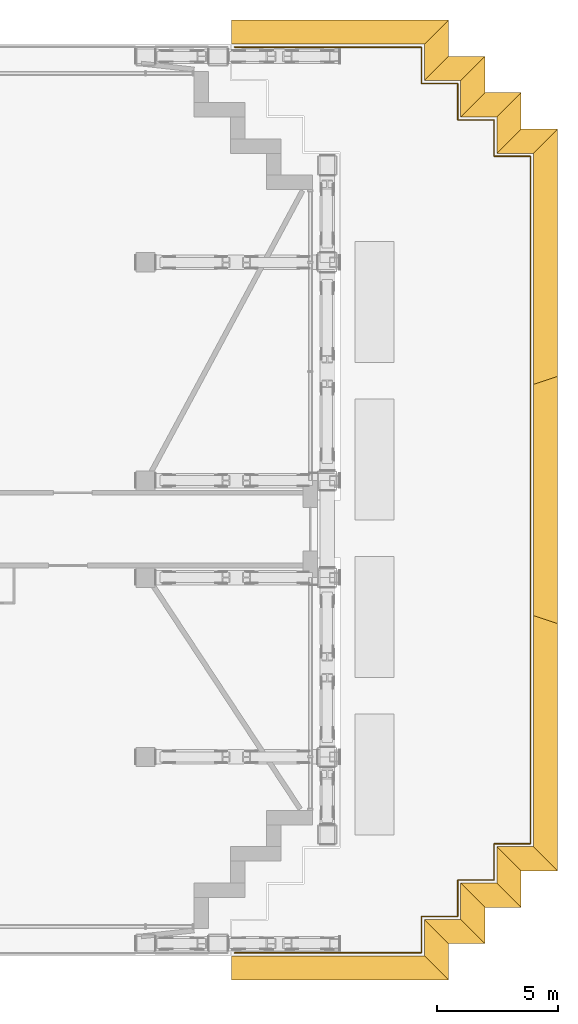
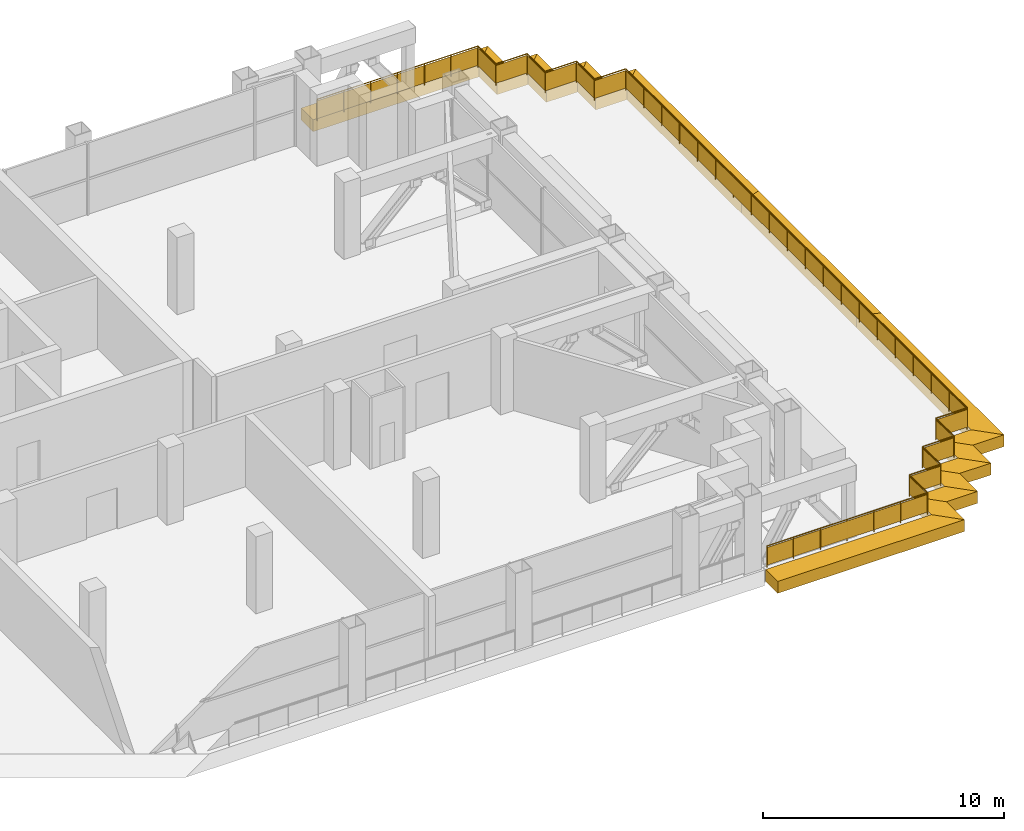
# One storey, part 25 of 25: 17 shading devices, 1 railing.
"""IFC4 building model written with IfcOpenShell, lengths in metres."""

from ifc_helpers import new_model, si_unit, direction, frame, origin, origin_2d, place, context, subcontext, project, spatial, polyline, rectangle, circle, outline, extrude, material, layer, layer_set, type_object, element, save


model = new_model("IFC4")

# Units and contexts
model_context = context("Model", 3, precision=1e-05, world=origin(), true_north=direction((0.0, 1.0)))
body_context = subcontext(model_context, "Body", "Model", "MODEL_VIEW")
ifc_project = project(units=[si_unit("LENGTHUNIT", "METRE"), si_unit("AREAUNIT", "SQUARE_METRE"), si_unit("VOLUMEUNIT", "CUBIC_METRE"), si_unit("PLANEANGLEUNIT", "RADIAN"), si_unit("MASSUNIT", "GRAM", prefix="KILO")], contexts=[model_context])

# Site, building, storey
site_placement = place(None, origin())
site = spatial("IfcSite", under=ifc_project, at=site_placement, CompositionType="ELEMENT")
building_placement = place(site_placement, origin())
building = spatial("IfcBuilding", under=site, at=building_placement, Name="Vidyagriha Tower", CompositionType="ELEMENT")
storey_placement = place(building_placement, frame((0.0, 0.0, 115.89990234375)))
storey = spatial("IfcBuildingStorey", under=building, at=storey_placement, Name="L29", CompositionType="ELEMENT", Elevation=115.89990234375)

# Shading devices
ifc_material_1 = material(Name="Precast concrete C40/50 with brick facing", Category="concrete")
ifc_layer = layer(ifc_material_1, 1.0)
ifc_layer_set = layer_set([ifc_layer], Name="Precast concrete C40/50 with brick facing")
shading_device_type = type_object("IfcShadingDeviceType", Name="Brick chhajja fascia 600", PredefinedType="USERDEFINED", material=ifc_layer_set)
shading_device_1_placement = place(storey_placement, frame((0.0, 0.0, -0.599853515625)))
element("IfcShadingDevice", 1, at=shading_device_1_placement, inside=storey, type_object=shading_device_type, Name="Chhajja fascia TR-B3-1 1", ObjectType="CHHAJJA", PredefinedType="USERDEFINED", context=body_context, shape_type="SweptSolid", body=[
    extrude(outline(polyline([(29.550048828125, -17.60009765625), (29.550048828125, -18.60009765625), (38.5, -18.60009765625), (37.5, -17.60009765625), (29.550048828125, -17.60009765625)])), origin(), (0.0, 0.0, 1.0), 0.599853515625),
])
shading_device_2_placement = place(storey_placement, frame((0.0, 0.0, -0.599853515625)))
element("IfcShadingDevice", 2, at=shading_device_2_placement, inside=storey, type_object=shading_device_type, Name="Chhajja fascia TR-B3-1 2", ObjectType="CHHAJJA", PredefinedType="USERDEFINED", context=body_context, shape_type="SweptSolid", body=[
    extrude(outline(polyline([(37.5, -17.60009765625), (38.5, -18.60009765625), (38.5, -17.10009765625), (37.5, -16.10009765625), (37.5, -17.60009765625)])), origin(), (0.0, 0.0, 1.0), 0.599853515625),
])
shading_device_3_placement = place(storey_placement, frame((0.0, 0.0, -0.599853515625)))
element("IfcShadingDevice", 3, at=shading_device_3_placement, inside=storey, type_object=shading_device_type, Name="Chhajja fascia TR-B3-1 3", ObjectType="CHHAJJA", PredefinedType="USERDEFINED", context=body_context, shape_type="SweptSolid", body=[
    extrude(outline(polyline([(37.5, -16.10009765625), (38.5, -17.10009765625), (40.0, -17.10009765625), (39.0, -16.10009765625), (37.5, -16.10009765625)])), origin(), (0.0, 0.0, 1.0), 0.599853515625),
])
shading_device_4_placement = place(storey_placement, frame((0.0, 0.0, -0.599853515625)))
element("IfcShadingDevice", 4, at=shading_device_4_placement, inside=storey, type_object=shading_device_type, Name="Chhajja fascia TR-B3-1 4", ObjectType="CHHAJJA", PredefinedType="USERDEFINED", context=body_context, shape_type="SweptSolid", body=[
    extrude(outline(polyline([(39.0, -16.10009765625), (40.0, -17.10009765625), (40.0, -15.60009765625), (39.0, -14.60009765625), (39.0, -16.10009765625)])), origin(), (0.0, 0.0, 1.0), 0.599853515625),
])
shading_device_5_placement = place(storey_placement, frame((0.0, 0.0, -0.599853515625)))
element("IfcShadingDevice", 5, at=shading_device_5_placement, inside=storey, type_object=shading_device_type, Name="Chhajja fascia TR-B3-1 5", ObjectType="CHHAJJA", PredefinedType="USERDEFINED", context=body_context, shape_type="SweptSolid", body=[
    extrude(outline(polyline([(39.0, -14.60009765625), (40.0, -15.60009765625), (41.5, -15.60009765625), (40.5, -14.60009765625), (39.0, -14.60009765625)])), origin(), (0.0, 0.0, 1.0), 0.599853515625),
])
shading_device_6_placement = place(storey_placement, frame((0.0, 0.0, -0.599853515625)))
element("IfcShadingDevice", 6, at=shading_device_6_placement, inside=storey, type_object=shading_device_type, Name="Chhajja fascia TR-B3-1 6", ObjectType="CHHAJJA", PredefinedType="USERDEFINED", context=body_context, shape_type="SweptSolid", body=[
    extrude(outline(polyline([(40.5, -14.60009765625), (41.5, -15.60009765625), (41.5, -14.10009765625), (40.5, -13.10009765625), (40.5, -14.60009765625)])), origin(), (0.0, 0.0, 1.0), 0.599853515625),
])
shading_device_7_placement = place(storey_placement, frame((0.0, 0.0, -0.599853515625)))
element("IfcShadingDevice", 7, at=shading_device_7_placement, inside=storey, type_object=shading_device_type, Name="Chhajja fascia TR-B3-1 7", ObjectType="CHHAJJA", PredefinedType="USERDEFINED", context=body_context, shape_type="SweptSolid", body=[
    extrude(outline(polyline([(40.5, -13.10009765625), (41.5, -14.10009765625), (43.0, -14.10009765625), (42.0, -13.10009765625), (40.5, -13.10009765625)])), origin(), (0.0, 0.0, 1.0), 0.599853515625),
])
shading_device_8_placement = place(storey_placement, frame((0.0, 0.0, -0.599853515625)))
element("IfcShadingDevice", 8, at=shading_device_8_placement, inside=storey, type_object=shading_device_type, Name="Chhajja fascia TR-B3-1 8", ObjectType="CHHAJJA", PredefinedType="USERDEFINED", context=body_context, shape_type="SweptSolid", body=[
    extrude(outline(polyline([(42.0, -13.10009765625), (43.0, -14.10009765625), (43.0, -3.89990234375), (42.0, -3.566650390625), (42.0, -13.10009765625)])), origin(), (0.0, 0.0, 1.0), 0.599853515625),
])
shading_device_9_placement = place(storey_placement, frame((0.0, 0.0, -0.599853515625)))
element("IfcShadingDevice", 9, at=shading_device_9_placement, inside=storey, type_object=shading_device_type, Name="Chhajja fascia TR-B3-1 9", ObjectType="CHHAJJA", PredefinedType="USERDEFINED", context=body_context, shape_type="SweptSolid", body=[
    extrude(outline(polyline([(42.0, -3.566650390625), (43.0, -3.89990234375), (43.0, 6.300048828125), (42.0, 5.966796875), (42.0, -3.566650390625)])), origin(), (0.0, 0.0, 1.0), 0.599853515625),
])
shading_device_10_placement = place(storey_placement, frame((0.0, 0.0, -0.599853515625)))
element("IfcShadingDevice", 10, at=shading_device_10_placement, inside=storey, type_object=shading_device_type, Name="Chhajja fascia TR-B3-1 10", ObjectType="CHHAJJA", PredefinedType="USERDEFINED", context=body_context, shape_type="SweptSolid", body=[
    extrude(outline(polyline([(42.0, 5.966796875), (43.0, 6.300048828125), (43.0, 16.5), (42.0, 15.5), (42.0, 5.966796875)])), origin(), (0.0, 0.0, 1.0), 0.599853515625),
])
shading_device_11_placement = place(storey_placement, frame((0.0, 0.0, -0.599853515625)))
element("IfcShadingDevice", 11, at=shading_device_11_placement, inside=storey, type_object=shading_device_type, Name="Chhajja fascia TR-B3-1 11", ObjectType="CHHAJJA", PredefinedType="USERDEFINED", context=body_context, shape_type="SweptSolid", body=[
    extrude(outline(polyline([(42.0, 15.5), (43.0, 16.5), (41.5, 16.5), (40.5, 15.5), (42.0, 15.5)])), origin(), (0.0, 0.0, 1.0), 0.599853515625),
])
shading_device_12_placement = place(storey_placement, frame((0.0, 0.0, -0.599853515625)))
element("IfcShadingDevice", 12, at=shading_device_12_placement, inside=storey, type_object=shading_device_type, Name="Chhajja fascia TR-B3-1 12", ObjectType="CHHAJJA", PredefinedType="USERDEFINED", context=body_context, shape_type="SweptSolid", body=[
    extrude(outline(polyline([(40.5, 15.5), (41.5, 16.5), (41.5, 18.0), (40.5, 17.0), (40.5, 15.5)])), origin(), (0.0, 0.0, 1.0), 0.599853515625),
])
shading_device_13_placement = place(storey_placement, frame((0.0, 0.0, -0.599853515625)))
element("IfcShadingDevice", 13, at=shading_device_13_placement, inside=storey, type_object=shading_device_type, Name="Chhajja fascia TR-B3-1 13", ObjectType="CHHAJJA", PredefinedType="USERDEFINED", context=body_context, shape_type="SweptSolid", body=[
    extrude(outline(polyline([(40.5, 17.0), (41.5, 18.0), (40.0, 18.0), (39.0, 17.0), (40.5, 17.0)])), origin(), (0.0, 0.0, 1.0), 0.599853515625),
])
shading_device_14_placement = place(storey_placement, frame((0.0, 0.0, -0.599853515625)))
element("IfcShadingDevice", 14, at=shading_device_14_placement, inside=storey, type_object=shading_device_type, Name="Chhajja fascia TR-B3-1 14", ObjectType="CHHAJJA", PredefinedType="USERDEFINED", context=body_context, shape_type="SweptSolid", body=[
    extrude(outline(polyline([(39.0, 17.0), (40.0, 18.0), (40.0, 19.5), (39.0, 18.5), (39.0, 17.0)])), origin(), (0.0, 0.0, 1.0), 0.599853515625),
])
shading_device_15_placement = place(storey_placement, frame((0.0, 0.0, -0.599853515625)))
element("IfcShadingDevice", 15, at=shading_device_15_placement, inside=storey, type_object=shading_device_type, Name="Chhajja fascia TR-B3-1 15", ObjectType="CHHAJJA", PredefinedType="USERDEFINED", context=body_context, shape_type="SweptSolid", body=[
    extrude(outline(polyline([(39.0, 18.5), (40.0, 19.5), (38.5, 19.5), (37.5, 18.5), (39.0, 18.5)])), origin(), (0.0, 0.0, 1.0), 0.599853515625),
])
shading_device_16_placement = place(storey_placement, frame((0.0, 0.0, -0.599853515625)))
element("IfcShadingDevice", 16, at=shading_device_16_placement, inside=storey, type_object=shading_device_type, Name="Chhajja fascia TR-B3-1 16", ObjectType="CHHAJJA", PredefinedType="USERDEFINED", context=body_context, shape_type="SweptSolid", body=[
    extrude(outline(polyline([(37.5, 18.5), (38.5, 19.5), (38.5, 21.0), (37.5, 20.0), (37.5, 18.5)])), origin(), (0.0, 0.0, 1.0), 0.599853515625),
])
shading_device_17_placement = place(storey_placement, frame((0.0, 0.0, -0.599853515625)))
element("IfcShadingDevice", 17, at=shading_device_17_placement, inside=storey, type_object=shading_device_type, Name="Chhajja fascia TR-B3-1 17", ObjectType="CHHAJJA", PredefinedType="USERDEFINED", context=body_context, shape_type="SweptSolid", body=[
    extrude(outline(polyline([(37.5, 20.0), (38.5, 21.0), (29.550048828125, 21.0), (29.550048828125, 20.0), (37.5, 20.0)])), origin(), (0.0, 0.0, 1.0), 0.599853515625),
])

# Railing
ifc_material_2 = material(Name="Steel ASTM A500 Grade C black painted", Category="steel")
railing_type = type_object("IfcRailingType", Name="Terrace guard 1100", PredefinedType="GUARDRAIL", material=ifc_material_2)
railing_placement = place(storey_placement, frame((29.669921875, 19.8798828125, 0.0)))
element("IfcRailing", 18, at=railing_placement, inside=storey, type_object=railing_type, Name="Terrace guard TR-B3-1 1", PredefinedType="GUARDRAIL", context=body_context, shape_type="SweptSolid", body=[
    extrude(circle(Radius=0.02490234375, at=origin_2d()), frame((0.0, 0.0, 1.0751953125), z_axis=(1.0, 0.0, 0.0), x_axis=(0.0, 1.0, 0.0)), (0.0, 0.0, 1.0), 7.7099609375),
    extrude(circle(Radius=0.02490234375, at=origin_2d()), frame((7.7099609375, 0.0, 1.0751953125), z_axis=(0.0, -1.0, 0.0), x_axis=(1.0, 0.0, 0.0)), (0.0, 0.0, 1.0), 1.5),
    extrude(circle(Radius=0.02490234375, at=origin_2d()), frame((7.7099609375, -1.5, 1.0751953125), z_axis=(1.0, 0.0, 0.0), x_axis=(0.0, 1.0, 0.0)), (0.0, 0.0, 1.0), 1.5),
    extrude(circle(Radius=0.02490234375, at=origin_2d()), frame((9.2099609375, -1.5, 1.0751953125), z_axis=(0.0, -1.0, 0.0), x_axis=(1.0, 0.0, 0.0)), (0.0, 0.0, 1.0), 1.5),
    extrude(circle(Radius=0.02490234375, at=origin_2d()), frame((9.2099609375, -3.0, 1.0751953125), z_axis=(1.0, 0.0, 0.0), x_axis=(0.0, 1.0, 0.0)), (0.0, 0.0, 1.0), 1.5),
    extrude(circle(Radius=0.02490234375, at=origin_2d()), frame((10.7099609375, -3.0, 1.0751953125), z_axis=(0.0, -1.0, 0.0), x_axis=(1.0, 0.0, 0.0)), (0.0, 0.0, 1.0), 1.5),
    extrude(circle(Radius=0.02490234375, at=origin_2d()), frame((10.7099609375, -4.5, 1.0751953125), z_axis=(1.0, 0.0, 0.0), x_axis=(0.0, 1.0, 0.0)), (0.0, 0.0, 1.0), 1.5),
    extrude(circle(Radius=0.02490234375, at=origin_2d()), frame((12.2099609375, -4.5, 1.0751953125), z_axis=(0.0, -1.0, 0.0), x_axis=(1.0, 0.0, 0.0)), (0.0, 0.0, 1.0), 28.35986328125),
    extrude(circle(Radius=0.02490234375, at=origin_2d()), frame((12.2099609375, -32.85986328125, 1.0751953125), z_axis=(-1.0, 0.0, 0.0), x_axis=(0.0, -1.0, 0.0)), (0.0, 0.0, 1.0), 1.5),
    extrude(circle(Radius=0.02490234375, at=origin_2d()), frame((10.7099609375, -32.85986328125, 1.0751953125), z_axis=(0.0, -1.0, 0.0), x_axis=(1.0, 0.0, 0.0)), (0.0, 0.0, 1.0), 1.5),
    extrude(circle(Radius=0.02490234375, at=origin_2d()), frame((10.7099609375, -34.35986328125, 1.0751953125), z_axis=(-1.0, 0.0, 0.0), x_axis=(0.0, -1.0, 0.0)), (0.0, 0.0, 1.0), 1.5),
    extrude(circle(Radius=0.02490234375, at=origin_2d()), frame((9.2099609375, -34.35986328125, 1.0751953125), z_axis=(0.0, -1.0, 0.0), x_axis=(1.0, 0.0, 0.0)), (0.0, 0.0, 1.0), 1.5),
    extrude(circle(Radius=0.02490234375, at=origin_2d()), frame((9.2099609375, -35.85986328125, 1.0751953125), z_axis=(-1.0, 0.0, 0.0), x_axis=(0.0, -1.0, 0.0)), (0.0, 0.0, 1.0), 1.5),
    extrude(circle(Radius=0.02490234375, at=origin_2d()), frame((7.7099609375, -35.85986328125, 1.0751953125), z_axis=(0.0, -1.0, 0.0), x_axis=(1.0, 0.0, 0.0)), (0.0, 0.0, 1.0), 1.5),
    extrude(circle(Radius=0.02490234375, at=origin_2d()), frame((7.7099609375, -37.35986328125, 1.0751953125), z_axis=(-1.0, 0.0, 0.0), x_axis=(0.0, -1.0, 0.0)), (0.0, 0.0, 1.0), 7.7099609375),
    extrude(circle(Radius=0.02001953125, at=origin_2d()), origin(), (0.0, 0.0, 1.0), 1.050048828125),
    extrude(circle(Radius=0.02001953125, at=origin_2d()), frame((1.284912109375, 0.0, 0.0)), (0.0, 0.0, 1.0), 1.050048828125),
    extrude(circle(Radius=0.02001953125, at=origin_2d()), frame((2.570068359375, 0.0, 0.0)), (0.0, 0.0, 1.0), 1.050048828125),
    extrude(circle(Radius=0.02001953125, at=origin_2d()), frame((3.85498046875, 0.0, 0.0)), (0.0, 0.0, 1.0), 1.050048828125),
    extrude(circle(Radius=0.02001953125, at=origin_2d()), frame((5.139892578125, 0.0, 0.0)), (0.0, 0.0, 1.0), 1.050048828125),
    extrude(circle(Radius=0.02001953125, at=origin_2d()), frame((6.425048828125, 0.0, 0.0)), (0.0, 0.0, 1.0), 1.050048828125),
    extrude(circle(Radius=0.02001953125, at=origin_2d()), frame((7.7099609375, 0.0, 0.0)), (0.0, 0.0, 1.0), 1.050048828125),
    extrude(circle(Radius=0.02001953125, at=origin_2d()), frame((7.7099609375, -1.5, 0.0)), (0.0, 0.0, 1.0), 1.050048828125),
    extrude(circle(Radius=0.02001953125, at=origin_2d()), frame((9.2099609375, -1.5, 0.0)), (0.0, 0.0, 1.0), 1.050048828125),
    extrude(circle(Radius=0.02001953125, at=origin_2d()), frame((9.2099609375, -3.0, 0.0)), (0.0, 0.0, 1.0), 1.050048828125),
    extrude(circle(Radius=0.02001953125, at=origin_2d()), frame((10.7099609375, -3.0, 0.0)), (0.0, 0.0, 1.0), 1.050048828125),
    extrude(circle(Radius=0.02001953125, at=origin_2d()), frame((10.7099609375, -4.5, 0.0)), (0.0, 0.0, 1.0), 1.050048828125),
    extrude(circle(Radius=0.02001953125, at=origin_2d()), frame((12.2099609375, -4.5, 0.0)), (0.0, 0.0, 1.0), 1.050048828125),
    extrude(circle(Radius=0.02001953125, at=origin_2d()), frame((12.2099609375, -5.99267578125, 0.0)), (0.0, 0.0, 1.0), 1.050048828125),
    extrude(circle(Radius=0.02001953125, at=origin_2d()), frame((12.2099609375, -7.4853515625, 0.0)), (0.0, 0.0, 1.0), 1.050048828125),
    extrude(circle(Radius=0.02001953125, at=origin_2d()), frame((12.2099609375, -8.977783203125, 0.0)), (0.0, 0.0, 1.0), 1.050048828125),
    extrude(circle(Radius=0.02001953125, at=origin_2d()), frame((12.2099609375, -10.470458984375, 0.0)), (0.0, 0.0, 1.0), 1.050048828125),
    extrude(circle(Radius=0.02001953125, at=origin_2d()), frame((12.2099609375, -11.963134765625, 0.0)), (0.0, 0.0, 1.0), 1.050048828125),
    extrude(circle(Radius=0.02001953125, at=origin_2d()), frame((12.2099609375, -13.455810546875, 0.0)), (0.0, 0.0, 1.0), 1.050048828125),
    extrude(circle(Radius=0.02001953125, at=origin_2d()), frame((12.2099609375, -14.948486328125, 0.0)), (0.0, 0.0, 1.0), 1.050048828125),
    extrude(circle(Radius=0.02001953125, at=origin_2d()), frame((12.2099609375, -16.44091796875, 0.0)), (0.0, 0.0, 1.0), 1.050048828125),
    extrude(circle(Radius=0.02001953125, at=origin_2d()), frame((12.2099609375, -17.93359375, 0.0)), (0.0, 0.0, 1.0), 1.050048828125),
    extrude(circle(Radius=0.02001953125, at=origin_2d()), frame((12.2099609375, -19.42626953125, 0.0)), (0.0, 0.0, 1.0), 1.050048828125),
    extrude(circle(Radius=0.02001953125, at=origin_2d()), frame((12.2099609375, -20.9189453125, 0.0)), (0.0, 0.0, 1.0), 1.050048828125),
    extrude(circle(Radius=0.02001953125, at=origin_2d()), frame((12.2099609375, -22.411376953125, 0.0)), (0.0, 0.0, 1.0), 1.050048828125),
    extrude(circle(Radius=0.02001953125, at=origin_2d()), frame((12.2099609375, -23.904052734375, 0.0)), (0.0, 0.0, 1.0), 1.050048828125),
    extrude(circle(Radius=0.02001953125, at=origin_2d()), frame((12.2099609375, -25.396728515625, 0.0)), (0.0, 0.0, 1.0), 1.050048828125),
    extrude(circle(Radius=0.02001953125, at=origin_2d()), frame((12.2099609375, -26.889404296875, 0.0)), (0.0, 0.0, 1.0), 1.050048828125),
    extrude(circle(Radius=0.02001953125, at=origin_2d()), frame((12.2099609375, -28.382080078125, 0.0)), (0.0, 0.0, 1.0), 1.050048828125),
    extrude(circle(Radius=0.02001953125, at=origin_2d()), frame((12.2099609375, -29.87451171875, 0.0)), (0.0, 0.0, 1.0), 1.050048828125),
    extrude(circle(Radius=0.02001953125, at=origin_2d()), frame((12.2099609375, -31.3671875, 0.0)), (0.0, 0.0, 1.0), 1.050048828125),
    extrude(circle(Radius=0.02001953125, at=origin_2d()), frame((12.2099609375, -32.85986328125, 0.0)), (0.0, 0.0, 1.0), 1.050048828125),
    extrude(circle(Radius=0.02001953125, at=origin_2d()), frame((10.7099609375, -32.85986328125, 0.0)), (0.0, 0.0, 1.0), 1.050048828125),
    extrude(circle(Radius=0.02001953125, at=origin_2d()), frame((10.7099609375, -34.35986328125, 0.0)), (0.0, 0.0, 1.0), 1.050048828125),
    extrude(circle(Radius=0.02001953125, at=origin_2d()), frame((9.2099609375, -34.35986328125, 0.0)), (0.0, 0.0, 1.0), 1.050048828125),
    extrude(circle(Radius=0.02001953125, at=origin_2d()), frame((9.2099609375, -35.85986328125, 0.0)), (0.0, 0.0, 1.0), 1.050048828125),
    extrude(circle(Radius=0.02001953125, at=origin_2d()), frame((7.7099609375, -35.85986328125, 0.0)), (0.0, 0.0, 1.0), 1.050048828125),
    extrude(circle(Radius=0.02001953125, at=origin_2d()), frame((7.7099609375, -37.35986328125, 0.0)), (0.0, 0.0, 1.0), 1.050048828125),
    extrude(circle(Radius=0.02001953125, at=origin_2d()), frame((6.425048828125, -37.35986328125, 0.0)), (0.0, 0.0, 1.0), 1.050048828125),
    extrude(circle(Radius=0.02001953125, at=origin_2d()), frame((5.139892578125, -37.35986328125, 0.0)), (0.0, 0.0, 1.0), 1.050048828125),
    extrude(circle(Radius=0.02001953125, at=origin_2d()), frame((3.85498046875, -37.35986328125, 0.0)), (0.0, 0.0, 1.0), 1.050048828125),
    extrude(circle(Radius=0.02001953125, at=origin_2d()), frame((2.570068359375, -37.35986328125, 0.0)), (0.0, 0.0, 1.0), 1.050048828125),
    extrude(circle(Radius=0.02001953125, at=origin_2d()), frame((1.284912109375, -37.35986328125, 0.0)), (0.0, 0.0, 1.0), 1.050048828125),
    extrude(circle(Radius=0.02001953125, at=origin_2d()), frame((0.0, -37.35986328125, 0.0)), (0.0, 0.0, 1.0), 1.050048828125),
    extrude(rectangle(XDim=0.010009765625, YDim=0.900146484375, at=origin_2d()), frame((0.0, 0.0, 0.550048828125), z_axis=(1.0, 0.0, 0.0), x_axis=(0.0, 1.0, 0.0)), (0.0, 0.0, 1.0), 7.7099609375),
    extrude(rectangle(XDim=0.010009765625, YDim=0.900146484375, at=origin_2d()), frame((7.7099609375, 0.0, 0.550048828125), z_axis=(0.0, -1.0, 0.0), x_axis=(1.0, 0.0, 0.0)), (0.0, 0.0, 1.0), 1.5),
    extrude(rectangle(XDim=0.010009765625, YDim=0.900146484375, at=origin_2d()), frame((7.7099609375, -1.5, 0.550048828125), z_axis=(1.0, 0.0, 0.0), x_axis=(0.0, 1.0, 0.0)), (0.0, 0.0, 1.0), 1.5),
    extrude(rectangle(XDim=0.010009765625, YDim=0.900146484375, at=origin_2d()), frame((9.2099609375, -1.5, 0.550048828125), z_axis=(0.0, -1.0, 0.0), x_axis=(1.0, 0.0, 0.0)), (0.0, 0.0, 1.0), 1.5),
    extrude(rectangle(XDim=0.010009765625, YDim=0.900146484375, at=origin_2d()), frame((9.2099609375, -3.0, 0.550048828125), z_axis=(1.0, 0.0, 0.0), x_axis=(0.0, 1.0, 0.0)), (0.0, 0.0, 1.0), 1.5),
    extrude(rectangle(XDim=0.010009765625, YDim=0.900146484375, at=origin_2d()), frame((10.7099609375, -3.0, 0.550048828125), z_axis=(0.0, -1.0, 0.0), x_axis=(1.0, 0.0, 0.0)), (0.0, 0.0, 1.0), 1.5),
    extrude(rectangle(XDim=0.010009765625, YDim=0.900146484375, at=origin_2d()), frame((10.7099609375, -4.5, 0.550048828125), z_axis=(1.0, 0.0, 0.0), x_axis=(0.0, 1.0, 0.0)), (0.0, 0.0, 1.0), 1.5),
    extrude(rectangle(XDim=0.010009765625, YDim=0.900146484375, at=origin_2d()), frame((12.2099609375, -4.5, 0.550048828125), z_axis=(0.0, -1.0, 0.0), x_axis=(1.0, 0.0, 0.0)), (0.0, 0.0, 1.0), 28.35986328125),
    extrude(rectangle(XDim=0.010009765625, YDim=0.900146484375, at=origin_2d()), frame((12.2099609375, -32.85986328125, 0.550048828125), z_axis=(-1.0, 0.0, 0.0), x_axis=(0.0, -1.0, 0.0)), (0.0, 0.0, 1.0), 1.5),
    extrude(rectangle(XDim=0.010009765625, YDim=0.900146484375, at=origin_2d()), frame((10.7099609375, -32.85986328125, 0.550048828125), z_axis=(0.0, -1.0, 0.0), x_axis=(1.0, 0.0, 0.0)), (0.0, 0.0, 1.0), 1.5),
    extrude(rectangle(XDim=0.010009765625, YDim=0.900146484375, at=origin_2d()), frame((10.7099609375, -34.35986328125, 0.550048828125), z_axis=(-1.0, 0.0, 0.0), x_axis=(0.0, -1.0, 0.0)), (0.0, 0.0, 1.0), 1.5),
    extrude(rectangle(XDim=0.010009765625, YDim=0.900146484375, at=origin_2d()), frame((9.2099609375, -34.35986328125, 0.550048828125), z_axis=(0.0, -1.0, 0.0), x_axis=(1.0, 0.0, 0.0)), (0.0, 0.0, 1.0), 1.5),
    extrude(rectangle(XDim=0.010009765625, YDim=0.900146484375, at=origin_2d()), frame((9.2099609375, -35.85986328125, 0.550048828125), z_axis=(-1.0, 0.0, 0.0), x_axis=(0.0, -1.0, 0.0)), (0.0, 0.0, 1.0), 1.5),
    extrude(rectangle(XDim=0.010009765625, YDim=0.900146484375, at=origin_2d()), frame((7.7099609375, -35.85986328125, 0.550048828125), z_axis=(0.0, -1.0, 0.0), x_axis=(1.0, 0.0, 0.0)), (0.0, 0.0, 1.0), 1.5),
    extrude(rectangle(XDim=0.010009765625, YDim=0.900146484375, at=origin_2d()), frame((7.7099609375, -37.35986328125, 0.550048828125), z_axis=(-1.0, 0.0, 0.0), x_axis=(0.0, -1.0, 0.0)), (0.0, 0.0, 1.0), 7.7099609375),
])

save(model, "model.ifc")
